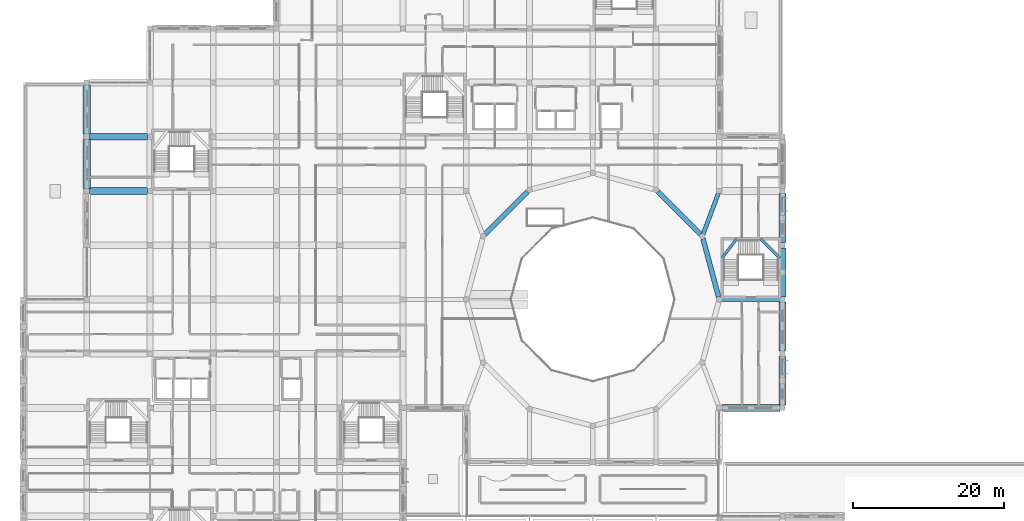
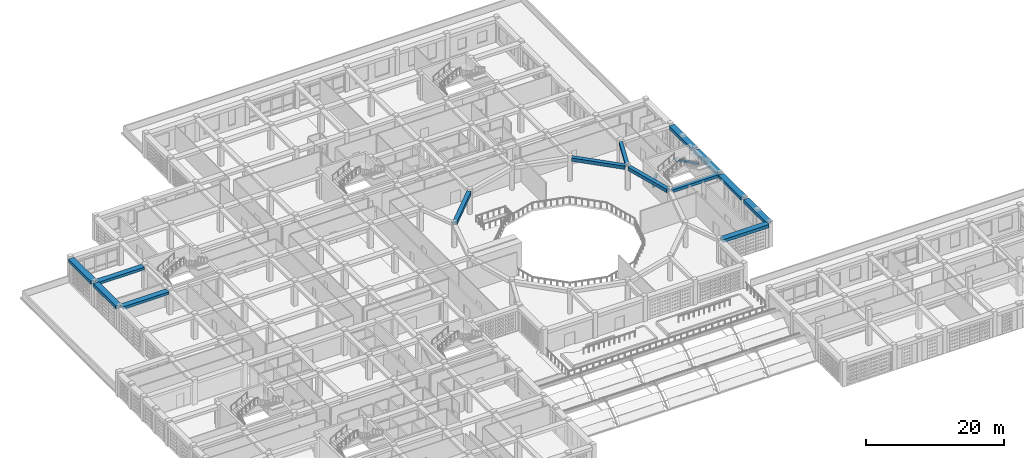
# One storey, part 23 of 100: 16 beams.
"""IFC4 building model written with IfcOpenShell, lengths in metres."""

from ifc_helpers import new_model, si_unit, derived_unit, direction, frame, origin, origin_2d, place, context, subcontext, project, spatial, rectangle, extrude, material, material_profile, profile_set, type_object, element, save


model = new_model("IFC4")

# Units and contexts
model_context = context("Model", 3, precision=1e-05, world=origin(), true_north=direction((0.0, 1.0)))
body_context = subcontext(model_context, "Body", "Model", "MODEL_VIEW")
ifc_project = project(units=[si_unit("LENGTHUNIT", "METRE"), si_unit("AREAUNIT", "SQUARE_METRE"), si_unit("VOLUMEUNIT", "CUBIC_METRE"), si_unit("PLANEANGLEUNIT", "RADIAN"), si_unit("MASSUNIT", "GRAM", prefix="KILO"), derived_unit("THERMALTRANSMITTANCEUNIT", [(si_unit("POWERUNIT", "WATT"), 1), (si_unit("LENGTHUNIT", "METRE"), -2), (si_unit("THERMODYNAMICTEMPERATUREUNIT", "KELVIN"), -1)])], contexts=[model_context])

# Site, building, storey
site_placement = place(None, origin())
site = spatial("IfcSite", under=ifc_project, at=site_placement, CompositionType="ELEMENT")
building_placement = place(site_placement, origin())
building = spatial("IfcBuilding", under=site, at=building_placement, Name="Veybourne Emporium", CompositionType="ELEMENT")
storey_placement = place(building_placement, frame((0.0, 0.0, 14.39990234375)))
storey = spatial("IfcBuildingStorey", under=building, at=storey_placement, Name="L03", CompositionType="ELEMENT", Elevation=14.39990234375)

# Beams
ifc_material = material(Name="Concrete C32/40", Category="concrete")
ifc_material_profile_1 = material_profile(ifc_material, rectangle(XDim=0.35009765625, YDim=0.35009765625, at=origin_2d()), Name="RC 350x350")
ifc_profile_set_1 = profile_set([ifc_material_profile_1], Name="Concrete C32/40")
beam_type_1 = type_object("IfcBeamType", Name="LandingBeam_LB-01", PredefinedType="BEAM", material=ifc_profile_set_1)
beam_1_placement = place(storey_placement, frame((92.77490234375, 55.919921875, 1.125), z_axis=(0.607669780071, 0.794189799978, 0.0), x_axis=(-0.794189799978, 0.607669780071, 0.0)))
element("IfcBeam", 1, at=beam_1_placement, inside=storey, type_object=beam_type_1, Name="L03 ST-07 landing 1 support beam", PredefinedType="BEAM", context=body_context, shape_type="SweptSolid", body=[
    extrude(rectangle(XDim=0.35009765625, YDim=0.35009765625, at=origin_2d()), origin(), (0.0, 0.0, 1.0), 3.21728515625),
])
beam_2_placement = place(storey_placement, frame((97.8701171875, 58.47509765625, 2.625), z_axis=(0.707072997628, -0.707140563131, 0.0), x_axis=(0.707140563131, 0.707072997628, 0.0)))
element("IfcBeam", 2, at=beam_2_placement, inside=storey, type_object=beam_type_1, Name="L03 ST-07 landing 2 support beam", PredefinedType="BEAM", context=body_context, shape_type="SweptSolid", body=[
    extrude(rectangle(XDim=0.35009765625, YDim=0.35009765625, at=origin_2d()), origin(), (0.0, 0.0, 1.0), 3.61328125),
])
ifc_material_profile_2 = material_profile(ifc_material, rectangle(XDim=0.89990234375, YDim=0.449951171875, at=origin_2d()), Name="RC 900x450")
ifc_profile_set_2 = profile_set([ifc_material_profile_2], Name="Concrete C32/40")
beam_type_2 = type_object("IfcBeamType", Name="RCBeam_BB-03", PredefinedType="BEAM", material=ifc_profile_set_2)
for number, where, z_axis, x_axis, name in (
    (3, (8.75, 64.800048828125, 3.955078125), (1.0, 0.0, 0.0), (0.0, 1.0, 0.0), "L03 X-grid beam BB-03 (1,9)"),
    (4, (8.75, 72.0, 3.955078125), (1.0, 0.0, 0.0), (0.0, 1.0, 0.0), "L03 X-grid beam BB-03 (1,10)"),
):
    element("IfcBeam", number, at=place(storey_placement, frame(where, z_axis=z_axis, x_axis=x_axis)), inside=storey, type_object=beam_type_2, Name=name, PredefinedType="BEAM", context=body_context, shape_type="SweptSolid", body=[
        extrude(rectangle(XDim=0.89990234375, YDim=0.449951171875, at=origin_2d()), origin(), (0.0, 0.0, 1.0), 7.699951171875),
    ])
ifc_material_profile_3 = material_profile(ifc_material, rectangle(XDim=0.949951171875, YDim=0.550048828125, at=origin_2d()), Name="RC 950x550")
ifc_profile_set_3 = profile_set([ifc_material_profile_3], Name="Concrete C32/40")
beam_type_3 = type_object("IfcBeamType", Name="RCBeam_EB-01", PredefinedType="SPANDREL", material=ifc_profile_set_3)
beam_3_placement = place(storey_placement, frame((92.75, 36.0, 3.905029296875), z_axis=(1.0, 0.0, 0.0), x_axis=(0.0, 1.0, 0.0)))
element("IfcBeam", 5, at=beam_3_placement, inside=storey, type_object=beam_type_3, Name="L03 X-grid beam EB-01 (11,5)", PredefinedType="SPANDREL", context=body_context, shape_type="SweptSolid", body=[
    extrude(rectangle(XDim=0.949951171875, YDim=0.550048828125, at=origin_2d()), origin(), (0.0, 0.0, 1.0), 7.699951171875),
])
for number, where, z_axis, x_axis, name in (
    (6, (8.39990234375, 65.14990234375, 3.905029296875), (0.0, 1.0, 0.0), (-1.0, 0.0, 0.0), "L03 Y-grid beam EB-01 (1,9)"),
    (7, (8.39990234375, 72.35009765625, 3.905029296875), (0.0, 1.0, 0.0), (-1.0, 0.0, 0.0), "L03 Y-grid beam EB-01 (1,10)"),
    (8, (100.800048828125, 36.35009765625, 3.905029296875), (0.0, 1.0, 0.0), (-1.0, 0.0, 0.0), "L03 Y-grid beam EB-01 (12,5)"),
    (9, (100.800048828125, 43.550048828125, 3.905029296875), (0.0, 1.0, 0.0), (-1.0, 0.0, 0.0), "L03 Y-grid beam EB-01 (12,6)"),
    (10, (100.800048828125, 50.75, 3.905029296875), (0.0, 1.0, 0.0), (-1.0, 0.0, 0.0), "L03 Y-grid beam EB-01 (12,7)"),
    (11, (100.800048828125, 57.949951171875, 3.905029296875), (0.0, 1.0, 0.0), (-1.0, 0.0, 0.0), "L03 Y-grid beam EB-01 (12,8)"),
):
    element("IfcBeam", number, at=place(storey_placement, frame(where, z_axis=z_axis, x_axis=x_axis)), inside=storey, type_object=beam_type_3, Name=name, PredefinedType="SPANDREL", context=body_context, shape_type="SweptSolid", body=[
        extrude(rectangle(XDim=0.949951171875, YDim=0.550048828125, at=origin_2d()), origin(), (0.0, 0.0, 1.0), 6.5),
    ])
ifc_material_profile_4 = material_profile(ifc_material, rectangle(XDim=0.64990234375, YDim=0.60009765625, at=origin_2d()), Name="RC 650x600")
ifc_profile_set_4 = profile_set([ifc_material_profile_4], Name="Concrete C32/40")
beam_type_4 = type_object("IfcBeamType", Name="RCBeam_EB-02", PredefinedType="BEAM", material=ifc_profile_set_4)
for number, where, z_axis, x_axis, name in (
    (12, (92.30810546875, 50.742919921875, 3.880126953125), (-0.258807903268, 0.965928811666, 0.0), (-0.965928811666, -0.258807903268, 0.0), "Atrium ring beam EB-02 L03-01"),
    (13, (89.898193359375, 59.051025390625, 3.880126953125), (-0.707106781187, 0.707106781187, 0.0), (-0.707106781187, -0.707106781187, 0.0), "Atrium ring beam EB-02 L03-02"),
    (14, (66.948974609375, 64.6982421875, 3.880126953125), (-0.707106781187, -0.707106781187, 0.0), (0.707106781187, -0.707106781187, 0.0), "Atrium ring beam EB-02 L03-05"),
):
    element("IfcBeam", number, at=place(storey_placement, frame(where, z_axis=z_axis, x_axis=x_axis)), inside=storey, type_object=beam_type_4, Name=name, PredefinedType="BEAM", context=body_context, shape_type="SweptSolid", body=[
        extrude(rectangle(XDim=0.64990234375, YDim=0.60009765625, at=origin_2d()), origin(), (0.0, 0.0, 1.0), 7.986328125),
    ])
ifc_material_profile_5 = material_profile(ifc_material, rectangle(XDim=0.550048828125, YDim=0.5, at=origin_2d()), Name="RC 550x500")
ifc_profile_set_5 = profile_set([ifc_material_profile_5], Name="Concrete C32/40")
beam_type_5 = type_object("IfcBeamType", Name="RCBeam_TB-01", PredefinedType="BEAM", material=ifc_profile_set_5)
beam_4_placement = place(storey_placement, frame((92.715087890625, 50.39990234375, 3.93017578125), z_axis=(1.0, 0.0, 0.0), x_axis=(0.0, 1.0, 0.0)))
element("IfcBeam", 15, at=beam_4_placement, inside=storey, type_object=beam_type_5, Name="Atrium radial tie beam L03-01", PredefinedType="BEAM", context=body_context, shape_type="SweptSolid", body=[
    extrude(rectangle(XDim=0.550048828125, YDim=0.5, at=origin_2d()), origin(), (0.0, 0.0, 1.0), 7.794921875),
])
beam_5_placement = place(storey_placement, frame((90.259765625, 59.094970703125, 3.93017578125), z_axis=(0.351234086371, 0.936287678318, 0.0), x_axis=(-0.936287678318, 0.351234086371, 0.0)))
element("IfcBeam", 16, at=beam_5_placement, inside=storey, type_object=beam_type_5, Name="Atrium radial tie beam L03-02", PredefinedType="BEAM", context=body_context, shape_type="SweptSolid", body=[
    extrude(rectangle(XDim=0.550048828125, YDim=0.5, at=origin_2d()), origin(), (0.0, 0.0, 1.0), 5.80322265625),
])

save(model, "model.ifc")
